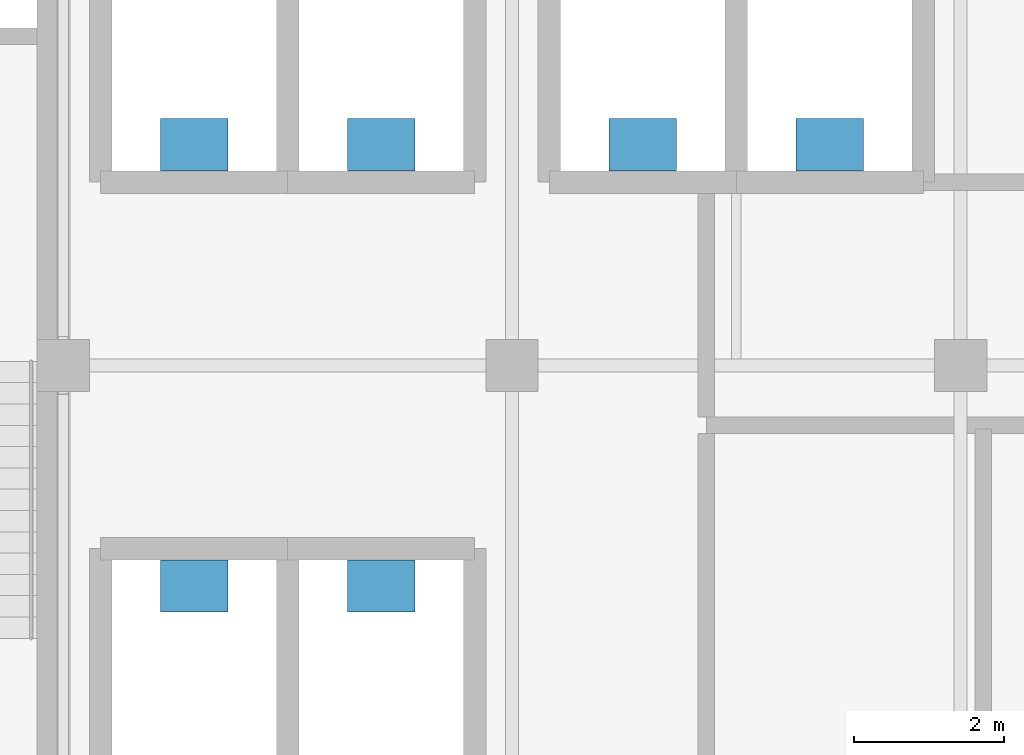
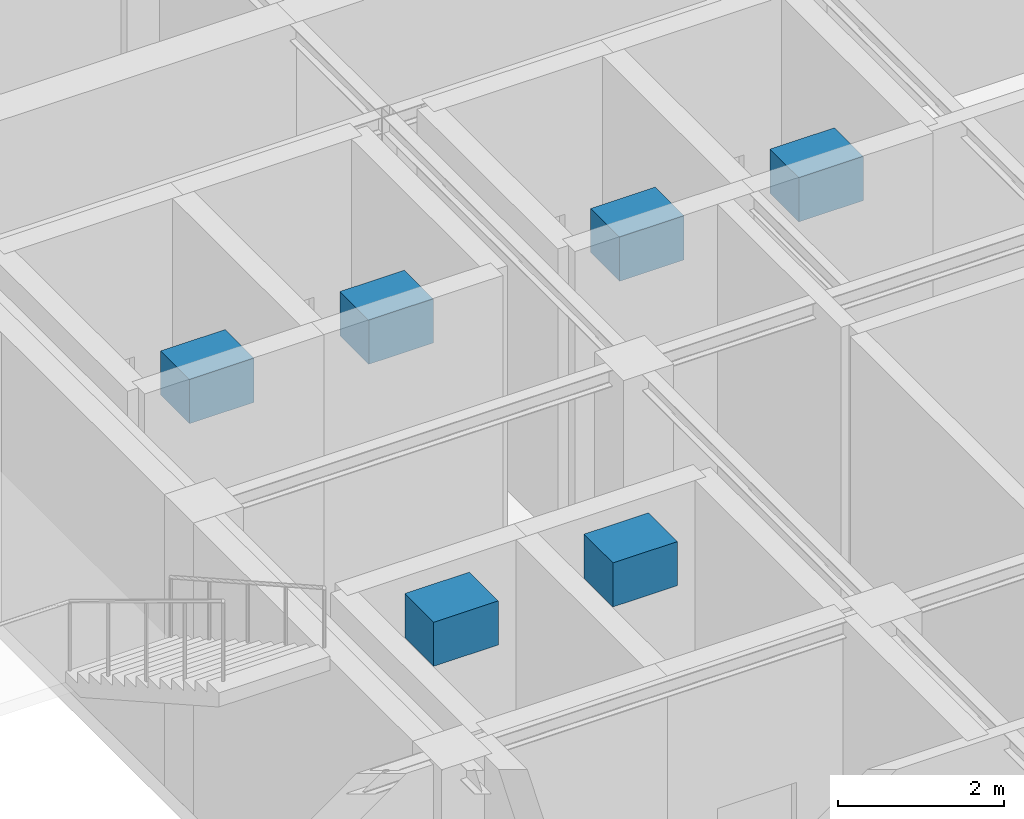
# One storey, part 10 of 11: 6 discrete accessories.
"""IFC4 building model written with IfcOpenShell, lengths in metres."""

from ifc_helpers import new_model, si_unit, direction, frame, origin, origin_2d, place, context, subcontext, project, spatial, rectangle, extrude, material, type_object, element, save


model = new_model("IFC4")

# Units and contexts
model_context = context("Model", 3, precision=1e-05, world=origin(), true_north=direction((0.0, 1.0)))
body_context = subcontext(model_context, "Body", "Model", "MODEL_VIEW")
ifc_project = project(units=[si_unit("LENGTHUNIT", "METRE"), si_unit("AREAUNIT", "SQUARE_METRE"), si_unit("VOLUMEUNIT", "CUBIC_METRE"), si_unit("PLANEANGLEUNIT", "RADIAN"), si_unit("MASSUNIT", "GRAM", prefix="KILO")], contexts=[model_context])

# Site, building, storey
site_placement = place(None, origin())
site = spatial("IfcSite", under=ifc_project, at=site_placement, CompositionType="ELEMENT")
building_placement = place(site_placement, origin())
building = spatial("IfcBuilding", under=site, at=building_placement, Name="Zlatovratsky Civic Hall", CompositionType="ELEMENT")
storey_placement = place(building_placement, frame((0.0, 0.0, 72.0)))
storey = spatial("IfcBuildingStorey", under=building, at=storey_placement, Name="L18", CompositionType="ELEMENT", Elevation=72.0)

# Discrete accessories
ifc_material = material(Name="Steel S355", Category="steel")
discrete_accessory_type = type_object("IfcDiscreteAccessoryType", Name="Lift_TractionMachine", PredefinedType="USERDEFINED", material=ifc_material)
for number, where, z_axis, x_axis, name in (
    (1, (73.75, 87.050048828125, 3.400146484375), (0.0, 0.0, 1.0), (1.0, 0.0, 0.0), "Lift Traction Machine LF-01"),
    (2, (76.25, 87.050048828125, 3.400146484375), (0.0, 0.0, 1.0), (1.0, 0.0, 0.0), "Lift Traction Machine LF-02"),
    (3, (73.75, 92.949951171875, 3.400146484375), (0.0, 0.0, 1.0), (1.0, 0.0, 0.0), "Lift Traction Machine LP-01"),
    (4, (76.25, 92.949951171875, 3.400146484375), (0.0, 0.0, 1.0), (1.0, 0.0, 0.0), "Lift Traction Machine LP-02"),
    (5, (79.75, 92.949951171875, 3.400146484375), (0.0, 0.0, 1.0), (1.0, 0.0, 0.0), "Lift Traction Machine LP-03"),
    (6, (82.25, 92.949951171875, 3.400146484375), (0.0, 0.0, 1.0), (1.0, 0.0, 0.0), "Lift Traction Machine LP-04"),
):
    element("IfcDiscreteAccessory", number, at=place(storey_placement, frame(where, z_axis=z_axis, x_axis=x_axis)), inside=storey, type_object=discrete_accessory_type, Name=name, ObjectType="TRACTION MACHINE", PredefinedType="USERDEFINED", context=body_context, shape_type="SweptSolid", body=[
        extrude(rectangle(XDim=0.89990234375, YDim=0.699951171875, at=origin_2d()), origin(), (0.0, 0.0, 1.0), 0.64990234375),
    ])

save(model, "model.ifc")
